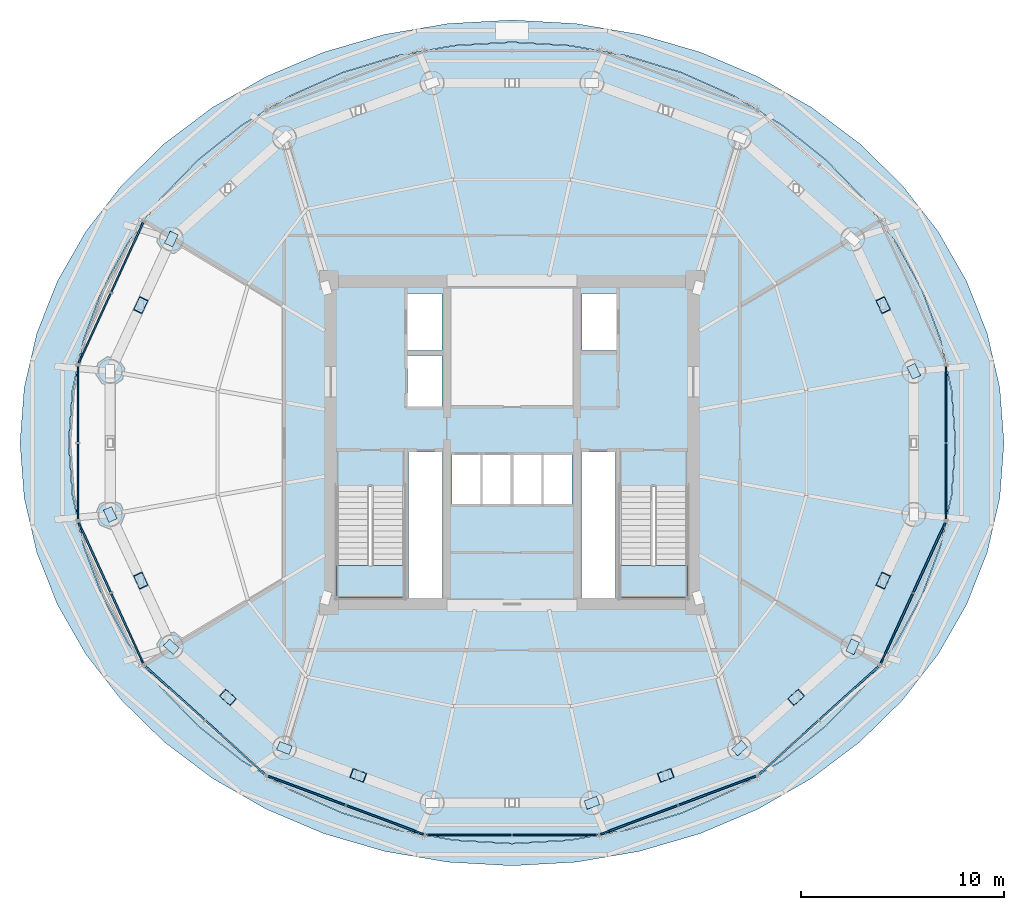
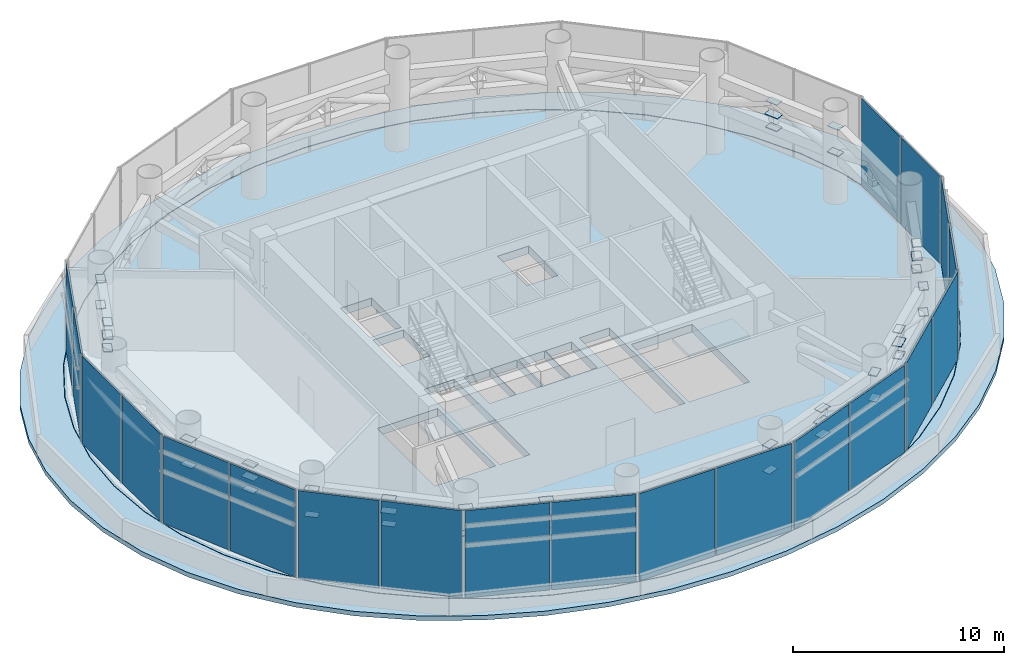
# One storey, part 19 of 25: 60 plates, 4 slabs, 12 elements without a shape of their own.
"""IFC4 building model written with IfcOpenShell, lengths in metres."""

from ifc_helpers import new_model, si_unit, direction, frame, origin, origin_2d, place, context, subcontext, project, spatial, polyline, rectangle, outline, extrude, source, transform, mapped, material, layer, layer_set, type_object, element, aggregate, save


model = new_model("IFC4")

# Units and contexts
model_context = context("Model", 3, precision=1e-05, world=origin(), true_north=direction((-0.2419218956, 0.970295726276)))
body_context = subcontext(model_context, "Body", "Model", "MODEL_VIEW")
ifc_project = project(units=[si_unit("LENGTHUNIT", "METRE"), si_unit("AREAUNIT", "SQUARE_METRE"), si_unit("VOLUMEUNIT", "CUBIC_METRE"), si_unit("PLANEANGLEUNIT", "RADIAN"), si_unit("MASSUNIT", "GRAM", prefix="KILO")], contexts=[model_context])

# Site, building, storey
site_placement = place(None, origin())
site = spatial("IfcSite", under=ifc_project, at=site_placement, CompositionType="ELEMENT")
building_placement = place(site_placement, origin())
building = spatial("IfcBuilding", under=site, at=building_placement, Name="Cobrevalo Terracotta Tower", CompositionType="ELEMENT")
storey_placement = place(building_placement, frame((0.0, 0.0, 185.800048828125)))
storey = spatial("IfcBuildingStorey", under=building, at=storey_placement, Name="L49", CompositionType="ELEMENT", Elevation=185.800048828125)

# Stair, slab
ifc_material_1 = material(Name="Concrete C50", Category="concrete")
stair_type = type_object("IfcStairType", Name="Core protected escape dogleg stair 1600", PredefinedType="HALF_TURN_STAIR", material=ifc_material_1)
stair_1_placement = place(storey_placement, origin())
stair_1 = element("IfcStair", 1, at=stair_1_placement, inside=storey, type_object=stair_type, Name="L49 Protected exit stair ST-1", PredefinedType="HALF_TURN_STAIR")
ifc_layer_1 = layer(ifc_material_1, 0.199951171875)
ifc_layer_set_1 = layer_set([ifc_layer_1], Name="Concrete C50")
slab_type_1 = type_object("IfcSlabType", Name="Reinforced Concrete Stair Landing 200", PredefinedType="LANDING", material=ifc_layer_set_1)
slab_1_placement = place(storey_placement, frame((0.0, 0.0, 2.5)))
slab_1 = element("IfcSlab", 2, at=slab_1_placement, type_object=slab_type_1, Name="ST-1 landing 1", PredefinedType="LANDING", context=body_context, shape_type="SweptSolid", body=[
    extrude(outline(polyline([(29.375, 20.780029296875), (29.375, 19.175048828125), (32.695068359375, 19.175048828125), (32.695068359375, 20.780029296875), (29.375, 20.780029296875)])), origin(), (0.0, 0.0, 1.0), 0.199951171875),
])
aggregate(stair_1, [slab_1])

stair_2_placement = place(storey_placement, origin())
stair_2 = element("IfcStair", 3, at=stair_2_placement, inside=storey, type_object=stair_type, Name="L49 Protected exit stair ST-2", PredefinedType="HALF_TURN_STAIR")
slab_2_placement = place(storey_placement, frame((0.0, 0.0, 2.5)))
slab_2 = element("IfcSlab", 4, at=slab_2_placement, type_object=slab_type_1, Name="ST-2 landing 1", PredefinedType="LANDING", context=body_context, shape_type="SweptSolid", body=[
    extrude(outline(polyline([(43.304931640625, 20.780029296875), (43.304931640625, 19.175048828125), (46.625, 19.175048828125), (46.625, 20.780029296875), (43.304931640625, 20.780029296875)])), origin(), (0.0, 0.0, 1.0), 0.199951171875),
])
aggregate(stair_2, [slab_2])

# Slabs
ifc_material_2 = material(Name="Concrete C55", Category="concrete")
ifc_layer_2 = layer(ifc_material_2, 0.449951171875)
ifc_layer_set_2 = layer_set([ifc_layer_2], Name="Concrete C55")
slab_type_2 = type_object("IfcSlabType", Name="Structural transfer deck slab 450 mm", PredefinedType="FLOOR", material=ifc_layer_set_2)
slab_3_placement = place(storey_placement, frame((0.0, 0.0, -0.449951171875)))
element("IfcSlab", 5, at=slab_3_placement, inside=storey, type_object=slab_type_2, Name="L49 indoor elliptical floor slab", PredefinedType="FLOOR", context=body_context, shape_type="SweptSolid", body=[
    extrude(outline(polyline([(59.613525390625, 24.228515625), (59.05712890625, 21.701171875), (58.140625, 19.26123046875), (56.87939453125, 16.949951171875), (55.295166015625, 14.807373046875), (53.4150390625, 12.8701171875), (51.27099609375, 11.1708984375), (48.89990234375, 9.7392578125), (46.342529296875, 8.599609375), (43.642333984375, 7.771240234375), (40.845458984375, 7.2685546875), (38.0, 7.10009765625), (35.154541015625, 7.2685546875), (32.357666015625, 7.771240234375), (29.657470703125, 8.599609375), (27.10009765625, 9.7392578125), (24.72900390625, 11.1708984375), (22.5849609375, 12.8701171875), (20.704833984375, 14.807373046875), (19.12060546875, 16.949951171875), (17.859375, 19.26123046875), (16.94287109375, 21.701171875), (16.386474609375, 24.228515625), (16.199951171875, 26.800048828125), (16.386474609375, 29.371337890625), (16.94287109375, 31.898681640625), (17.859375, 34.3388671875), (19.12060546875, 36.64990234375), (20.704833984375, 38.79248046875), (22.5849609375, 40.72998046875), (24.72900390625, 42.428955078125), (27.10009765625, 43.860595703125), (29.657470703125, 45.00048828125), (32.357666015625, 45.828857421875), (35.154541015625, 46.33154296875), (38.0, 46.5), (40.845458984375, 46.33154296875), (43.642333984375, 45.828857421875), (46.342529296875, 45.00048828125), (48.89990234375, 43.860595703125), (51.27099609375, 42.428955078125), (53.4150390625, 40.72998046875), (55.295166015625, 38.79248046875), (56.87939453125, 36.64990234375), (58.140625, 34.3388671875), (59.05712890625, 31.898681640625), (59.613525390625, 29.371337890625), (59.800048828125, 26.800048828125), (59.613525390625, 24.228515625)]), holes=[polyline([(32.695068359375, 19.175048828125), (32.695068359375, 24.659912109375), (29.375, 24.659912109375), (29.375, 19.175048828125), (32.695068359375, 19.175048828125)]), polyline([(34.574951171875, 26.360107421875), (32.919921875, 26.360107421875), (32.919921875, 19.175048828125), (34.574951171875, 19.175048828125), (34.574951171875, 26.360107421875)]), polyline([(36.47998046875, 26.25), (35.050048828125, 26.25), (35.050048828125, 23.800048828125), (36.47998046875, 23.800048828125), (36.47998046875, 26.25)]), polyline([(37.9599609375, 23.800048828125), (37.9599609375, 26.25), (36.530029296875, 26.25), (36.530029296875, 23.800048828125), (37.9599609375, 23.800048828125)]), polyline([(34.550048828125, 28.60009765625), (34.550048828125, 31.10009765625), (32.85009765625, 31.10009765625), (32.85009765625, 28.60009765625), (34.550048828125, 28.60009765625)]), polyline([(34.550048828125, 34.14990234375), (32.85009765625, 34.14990234375), (32.85009765625, 31.35009765625), (34.550048828125, 31.35009765625), (34.550048828125, 34.14990234375)]), polyline([(43.304931640625, 19.175048828125), (46.625, 19.175048828125), (46.625, 24.659912109375), (43.304931640625, 24.659912109375), (43.304931640625, 19.175048828125)]), polyline([(43.080078125, 19.175048828125), (43.080078125, 26.360107421875), (41.425048828125, 26.360107421875), (41.425048828125, 19.175048828125), (43.080078125, 19.175048828125)]), polyline([(39.469970703125, 26.25), (38.0400390625, 26.25), (38.0400390625, 23.800048828125), (39.469970703125, 23.800048828125), (39.469970703125, 26.25)]), polyline([(40.949951171875, 23.800048828125), (40.949951171875, 26.25), (39.52001953125, 26.25), (39.52001953125, 23.800048828125), (40.949951171875, 23.800048828125)]), polyline([(43.14990234375, 31.35009765625), (43.14990234375, 34.14990234375), (41.449951171875, 34.14990234375), (41.449951171875, 31.35009765625), (43.14990234375, 31.35009765625)])]), origin(), (0.0, 0.0, 1.0), 0.449951171875),
])
ifc_material_3 = material(Name="Concrete C45", Category="concrete")
ifc_layer_3 = layer(ifc_material_3, 0.260009765625)
ifc_layer_set_3 = layer_set([ifc_layer_3], Name="Concrete C45")
slab_type_3 = type_object("IfcSlabType", Name="Zone setback structural roof slab 260 mm", PredefinedType="ROOF", material=ifc_layer_set_3)
slab_4_placement = place(storey_placement, frame((0.0, 0.0, -0.260009765625)))
element("IfcSlab", 6, at=slab_4_placement, inside=storey, type_object=slab_type_3, Name="L49 zone setback roof collar slab 1", PredefinedType="ROOF", context=body_context, shape_type="SweptSolid", body=[
    extrude(outline(polyline([(61.992919921875, 24.0849609375), (61.37548828125, 21.41650390625), (60.35791015625, 18.840087890625), (58.957763671875, 16.39990234375), (57.19921875, 14.1376953125), (55.112060546875, 12.09228515625), (52.73193359375, 10.29833984375), (50.10009765625, 8.78662109375), (47.260986328125, 7.583251953125), (44.263427734375, 6.708740234375), (41.15869140625, 6.177978515625), (38.0, 6.0), (34.84130859375, 6.177978515625), (31.736572265625, 6.708740234375), (28.739013671875, 7.583251953125), (25.89990234375, 8.78662109375), (23.26806640625, 10.29833984375), (20.887939453125, 12.09228515625), (18.80078125, 14.1376953125), (17.042236328125, 16.39990234375), (15.64208984375, 18.840087890625), (14.62451171875, 21.41650390625), (14.007080078125, 24.0849609375), (13.800048828125, 26.800048828125), (14.007080078125, 29.514892578125), (14.62451171875, 32.183349609375), (15.64208984375, 34.759765625), (17.042236328125, 37.199951171875), (18.80078125, 39.462158203125), (20.887939453125, 41.5078125), (23.26806640625, 43.3017578125), (25.89990234375, 44.813232421875), (28.739013671875, 46.0166015625), (31.736572265625, 46.891357421875), (34.84130859375, 47.422119140625), (38.0, 47.60009765625), (41.15869140625, 47.422119140625), (44.263427734375, 46.891357421875), (47.260986328125, 46.0166015625), (50.10009765625, 44.813232421875), (52.73193359375, 43.3017578125), (55.112060546875, 41.5078125), (57.19921875, 39.462158203125), (58.957763671875, 37.199951171875), (60.35791015625, 34.759765625), (61.37548828125, 32.183349609375), (61.992919921875, 29.514892578125), (62.199951171875, 26.800048828125), (61.992919921875, 24.0849609375)]), holes=[polyline([(59.63330078125, 29.3740234375), (59.076416015625, 31.90380859375), (58.158935546875, 34.346435546875), (56.896728515625, 36.659912109375), (55.31103515625, 38.8046875), (53.428955078125, 40.744140625), (51.283203125, 42.44482421875), (48.909912109375, 43.8779296875), (46.35009765625, 45.018798828125), (43.6474609375, 45.84814453125), (40.84814453125, 46.351318359375), (38.0, 46.52001953125), (35.15185546875, 46.351318359375), (32.3525390625, 45.84814453125), (29.64990234375, 45.018798828125), (27.090087890625, 43.8779296875), (24.716796875, 42.44482421875), (22.571044921875, 40.744140625), (20.68896484375, 38.8046875), (19.103271484375, 36.659912109375), (17.841064453125, 34.346435546875), (16.923583984375, 31.90380859375), (16.36669921875, 29.3740234375), (16.179931640625, 26.800048828125), (16.36669921875, 24.22607421875), (16.923583984375, 21.696044921875), (17.841064453125, 19.25341796875), (19.103271484375, 16.93994140625), (20.68896484375, 14.795166015625), (22.571044921875, 12.85595703125), (24.716796875, 11.155029296875), (27.090087890625, 9.721923828125), (29.64990234375, 8.5810546875), (32.3525390625, 7.751953125), (35.15185546875, 7.248779296875), (38.0, 7.080078125), (40.84814453125, 7.248779296875), (43.6474609375, 7.751953125), (46.35009765625, 8.5810546875), (48.909912109375, 9.721923828125), (51.283203125, 11.155029296875), (53.428955078125, 12.85595703125), (55.31103515625, 14.795166015625), (56.896728515625, 16.93994140625), (58.158935546875, 19.25341796875), (59.076416015625, 21.696044921875), (59.63330078125, 24.22607421875), (59.820068359375, 26.800048828125), (59.63330078125, 29.3740234375)])]), origin(), (0.0, 0.0, 1.0), 0.260009765625),
])

# Plates
ifc_material_4 = material(Name="Steel S355", Category="steel")
ifc_layer_4 = layer(ifc_material_4, 0.031982421875)
ifc_layer_set_4 = layer_set([ifc_layer_4], Name="Steel S355")
plate_type_1 = type_object("IfcPlateType", Name="Structural Gusset Plate 750x480x32 (Steel S355)", PredefinedType="SHEET", material=ifc_layer_set_4)
shared_shape_1 = source(origin(), body_context, "Body", "SweptSolid", [
    extrude(rectangle(XDim=0.75, YDim=0.47998046875, at=origin_2d()), origin(), (0.0, 0.0, 1.0), 0.031982421875),
])
for number, where, z_axis, x_axis, name in (
    (7, (56.258544921875, 33.57470703125, 3.38623046875), (0.0, 0.0, 1.0), (-0.419705565382, 0.907660310021, 0.0), "L49 hollow end cap plate GUS-BT-L49-01"),
    (8, (19.741455078125, 33.57470703125, 3.38623046875), (0.0, 0.0, 1.0), (-0.419705565382, -0.907660310021, 0.0), "L49 hollow end cap plate GUS-BT-L49-07"),
    (9, (19.741455078125, 20.025390625, 3.38623046875), (0.0, 0.0, 1.0), (0.419705565382, -0.907660310021, 0.0), "L49 hollow end cap plate GUS-BT-L49-09"),
    (10, (24.025634765625, 14.281982421875, 3.38623046875), (0.0, 0.0, 1.0), (0.744854463858, -0.667226968633, 0.0), "L49 hollow end cap plate GUS-BT-L49-10"),
    (11, (30.43701171875, 10.4443359375, 3.38623046875), (0.0, 0.0, 1.0), (0.937542718751, -0.347870163305, 0.0), "L49 hollow end cap plate GUS-BT-L49-11"),
    (12, (45.56298828125, 10.4443359375, 3.38623046875), (0.0, 0.0, 1.0), (0.937542718751, 0.347870163305, 0.0), "L49 hollow end cap plate GUS-BT-L49-13"),
    (13, (51.974365234375, 14.281982421875, 3.38623046875), (0.0, 0.0, 1.0), (0.744854463858, 0.667226968633, 0.0), "L49 hollow end cap plate GUS-BT-L49-14"),
    (14, (56.258544921875, 20.025390625, 3.38623046875), (0.0, 0.0, 1.0), (0.419705565382, 0.907660310021, 0.0), "L49 hollow end cap plate GUS-BT-L49-15"),
):
    element("IfcPlate", number, at=place(storey_placement, frame(where, z_axis=z_axis, x_axis=x_axis)), inside=storey, type_object=plate_type_1, Name=name, PredefinedType="SHEET", context=body_context, shape_type="MappedRepresentation", body=[
        mapped(shared_shape_1, transform((0.0, 0.0, 0.0), scale=1.0)),
    ])
ifc_layer_5 = layer(ifc_material_4, 0.030029296875)
ifc_layer_set_5 = layer_set([ifc_layer_5], Name="Steel S355")
plate_type_2 = type_object("IfcPlateType", Name="Structural Cap Plate 660x440x30 (Steel S355)", PredefinedType="USERDEFINED", material=ifc_layer_set_5)
shared_shape_2 = source(origin(), body_context, "Body", "SweptSolid", [
    extrude(rectangle(XDim=0.659912109375, YDim=0.43994140625, at=origin_2d()), origin(), (0.0, 0.0, 1.0), 0.030029296875),
])
for number, where, z_axis, x_axis, name in (
    (15, (57.762939453125, 30.3212890625, 2.634765625), (0.0, 0.0, 1.0), (-0.419705565382, 0.907660310021, 0.0), "L49 hollow end cap plate CAP-BT-L49-01-B0"),
    (16, (57.762939453125, 30.3212890625, 4.14013671875), (0.0, 0.0, 1.0), (-0.419705565382, 0.907660310021, 0.0), "L49 hollow end cap plate CAP-BT-L49-01-T0"),
    (17, (56.258544921875, 33.57470703125, 2.634765625), (0.0, 0.0, 1.0), (-0.419705565382, 0.907660310021, 0.0), "L49 hollow end cap plate CAP-BT-L49-01-BM"),
    (18, (56.258544921875, 33.57470703125, 4.14013671875), (0.0, 0.0, 1.0), (-0.419705565382, 0.907660310021, 0.0), "L49 hollow end cap plate CAP-BT-L49-01-TM"),
    (19, (21.245849609375, 36.828125, 2.634765625), (0.0, 0.0, 1.0), (-0.419705565382, -0.907660310021, 0.0), "L49 hollow end cap plate CAP-BT-L49-07-B0"),
    (20, (21.245849609375, 36.828125, 4.14013671875), (0.0, 0.0, 1.0), (-0.419705565382, -0.907660310021, 0.0), "L49 hollow end cap plate CAP-BT-L49-07-T0"),
    (21, (19.741455078125, 33.57470703125, 2.634765625), (0.0, 0.0, 1.0), (-0.419705565382, -0.907660310021, 0.0), "L49 hollow end cap plate CAP-BT-L49-07-BM"),
    (22, (19.741455078125, 33.57470703125, 4.14013671875), (0.0, 0.0, 1.0), (-0.419705565382, -0.907660310021, 0.0), "L49 hollow end cap plate CAP-BT-L49-07-TM"),
    (23, (18.237060546875, 23.278564453125, 2.634765625), (0.0, 0.0, 1.0), (0.419705565382, -0.907660310021, 0.0), "L49 hollow end cap plate CAP-BT-L49-09-B0"),
    (24, (18.237060546875, 23.278564453125, 4.14013671875), (0.0, 0.0, 1.0), (0.419705565382, -0.907660310021, 0.0), "L49 hollow end cap plate CAP-BT-L49-09-T0"),
    (25, (19.741455078125, 20.025390625, 2.634765625), (0.0, 0.0, 1.0), (0.419705565382, -0.907660310021, 0.0), "L49 hollow end cap plate CAP-BT-L49-09-BM"),
    (26, (19.741455078125, 20.025390625, 4.14013671875), (0.0, 0.0, 1.0), (0.419705565382, -0.907660310021, 0.0), "L49 hollow end cap plate CAP-BT-L49-09-TM"),
    (27, (21.245849609375, 16.77197265625, 2.634765625), (0.0, 0.0, 1.0), (0.744854463858, -0.667226968633, 0.0), "L49 hollow end cap plate CAP-BT-L49-10-B0"),
    (28, (21.245849609375, 16.77197265625, 4.14013671875), (0.0, 0.0, 1.0), (0.744854463858, -0.667226968633, 0.0), "L49 hollow end cap plate CAP-BT-L49-10-T0"),
    (29, (24.025634765625, 14.281982421875, 2.634765625), (0.0, 0.0, 1.0), (0.744854463858, -0.667226968633, 0.0), "L49 hollow end cap plate CAP-BT-L49-10-BM"),
    (30, (24.025634765625, 14.281982421875, 4.14013671875), (0.0, 0.0, 1.0), (0.744854463858, -0.667226968633, 0.0), "L49 hollow end cap plate CAP-BT-L49-10-TM"),
    (31, (26.80517578125, 11.7919921875, 2.634765625), (0.0, 0.0, 1.0), (0.937542718751, -0.347870163305, 0.0), "L49 hollow end cap plate CAP-BT-L49-11-B0"),
    (32, (26.80517578125, 11.7919921875, 4.14013671875), (0.0, 0.0, 1.0), (0.937542718751, -0.347870163305, 0.0), "L49 hollow end cap plate CAP-BT-L49-11-T0"),
    (33, (30.43701171875, 10.4443359375, 2.634765625), (0.0, 0.0, 1.0), (0.937542718751, -0.347870163305, 0.0), "L49 hollow end cap plate CAP-BT-L49-11-BM"),
    (34, (30.43701171875, 10.4443359375, 4.14013671875), (0.0, 0.0, 1.0), (0.937542718751, -0.347870163305, 0.0), "L49 hollow end cap plate CAP-BT-L49-11-TM"),
    (35, (41.93115234375, 9.096923828125, 2.634765625), (0.0, 0.0, 1.0), (0.937542718751, 0.347870163305, 0.0), "L49 hollow end cap plate CAP-BT-L49-13-B0"),
    (36, (41.93115234375, 9.096923828125, 4.14013671875), (0.0, 0.0, 1.0), (0.937542718751, 0.347870163305, 0.0), "L49 hollow end cap plate CAP-BT-L49-13-T0"),
    (37, (45.56298828125, 10.4443359375, 2.634765625), (0.0, 0.0, 1.0), (0.937542718751, 0.347870163305, 0.0), "L49 hollow end cap plate CAP-BT-L49-13-BM"),
    (38, (45.56298828125, 10.4443359375, 4.14013671875), (0.0, 0.0, 1.0), (0.937542718751, 0.347870163305, 0.0), "L49 hollow end cap plate CAP-BT-L49-13-TM"),
    (39, (49.19482421875, 11.7919921875, 2.634765625), (0.0, 0.0, 1.0), (0.744854463858, 0.667226968633, 0.0), "L49 hollow end cap plate CAP-BT-L49-14-B0"),
    (40, (49.19482421875, 11.7919921875, 4.14013671875), (0.0, 0.0, 1.0), (0.744854463858, 0.667226968633, 0.0), "L49 hollow end cap plate CAP-BT-L49-14-T0"),
    (41, (51.974365234375, 14.281982421875, 2.634765625), (0.0, 0.0, 1.0), (0.744854463858, 0.667226968633, 0.0), "L49 hollow end cap plate CAP-BT-L49-14-BM"),
    (42, (51.974365234375, 14.281982421875, 4.14013671875), (0.0, 0.0, 1.0), (0.744854463858, 0.667226968633, 0.0), "L49 hollow end cap plate CAP-BT-L49-14-TM"),
    (43, (54.754150390625, 16.77197265625, 2.634765625), (0.0, 0.0, 1.0), (0.419705565382, 0.907660310021, 0.0), "L49 hollow end cap plate CAP-BT-L49-15-B0"),
    (44, (54.754150390625, 16.77197265625, 4.14013671875), (0.0, 0.0, 1.0), (0.419705565382, 0.907660310021, 0.0), "L49 hollow end cap plate CAP-BT-L49-15-T0"),
    (45, (56.258544921875, 20.025390625, 2.634765625), (0.0, 0.0, 1.0), (0.419705565382, 0.907660310021, 0.0), "L49 hollow end cap plate CAP-BT-L49-15-BM"),
    (46, (56.258544921875, 20.025390625, 4.14013671875), (0.0, 0.0, 1.0), (0.419705565382, 0.907660310021, 0.0), "L49 hollow end cap plate CAP-BT-L49-15-TM"),
):
    element("IfcPlate", number, at=place(storey_placement, frame(where, z_axis=z_axis, x_axis=x_axis)), inside=storey, type_object=plate_type_2, Name=name, ObjectType="CAP PLATE", PredefinedType="USERDEFINED", context=body_context, shape_type="MappedRepresentation", body=[
        mapped(shared_shape_2, transform((0.0, 0.0, 0.0), scale=1.0)),
    ])

# Curtain wall, plates
ifc_material_5 = material(Name="Anodized aluminium", Category="aluminium")
curtain_wall_type = type_object("IfcCurtainWallType", Name="Belt-truss plant acoustic weather-louvre curtain wall CW-LV", PredefinedType="NOTDEFINED", material=ifc_material_5)
curtain_wall_1_placement = place(storey_placement, origin())
curtain_wall_1 = element("IfcCurtainWall", 47, at=curtain_wall_1_placement, inside=storey, type_object=curtain_wall_type, Name="L49 curtain wall CW-LV-L49-S07", PredefinedType="NOTDEFINED")
ifc_material_6 = material(Name="Anodized aluminium weather louvre", Category="aluminium")
ifc_layer_6 = layer(ifc_material_6, 0.0849609375)
ifc_layer_set_6 = layer_set([ifc_layer_6], Name="Anodized aluminium weather louvre")
plate_type_3 = type_object("IfcPlateType", Name="Plant room acoustic weather-louvre cassette 85 mm", PredefinedType="USERDEFINED", material=ifc_layer_set_6)
shared_shape_3 = source(origin(), body_context, "Body", "SweptSolid", [
    extrude(rectangle(XDim=3.780029296875, YDim=0.0849609375, at=origin_2d()), origin(), (0.0, 0.0, 1.0), 5.054931640625),
])
plate_1_placement = place(storey_placement, frame((19.077880859375, 35.937255859375, 0.0400390625), z_axis=(0.0, 0.0, 1.0), x_axis=(-0.416731425355, -0.909029657999, 0.0)))
plate_1 = element("IfcPlate", 48, at=plate_1_placement, type_object=plate_type_3, Name="CW-LV-L49-S07 acoustic louvre panel B01", ObjectType="LOUVRE_PANEL", PredefinedType="USERDEFINED", context=body_context, shape_type="MappedRepresentation", body=[
    mapped(shared_shape_3, transform((0.0, 0.0, 0.0), scale=1.0)),
])
plate_2_placement = place(storey_placement, frame((17.46923828125, 32.42822265625, 0.0400390625), z_axis=(0.0, 0.0, 1.0), x_axis=(-0.416731425355, -0.909029657999, 0.0)))
plate_2 = element("IfcPlate", 49, at=plate_2_placement, type_object=plate_type_3, Name="CW-LV-L49-S07 acoustic louvre panel B02", ObjectType="LOUVRE_PANEL", PredefinedType="USERDEFINED", context=body_context, shape_type="MappedRepresentation", body=[
    mapped(shared_shape_3, transform((0.0, 0.0, 0.0), scale=1.0)),
])
aggregate(curtain_wall_1, [plate_1, plate_2])

curtain_wall_2_placement = place(storey_placement, origin())
curtain_wall_2 = element("IfcCurtainWall", 50, at=curtain_wall_2_placement, inside=storey, type_object=curtain_wall_type, Name="L49 curtain wall CW-LV-L49-S09", PredefinedType="NOTDEFINED")
plate_3_placement = place(storey_placement, frame((17.46923828125, 21.171630859375, 0.0400390625), z_axis=(0.0, 0.0, 1.0), x_axis=(0.416731425355, -0.909029657999, 0.0)))
plate_3 = element("IfcPlate", 51, at=plate_3_placement, type_object=plate_type_3, Name="CW-LV-L49-S09 acoustic louvre panel B01", ObjectType="LOUVRE_PANEL", PredefinedType="USERDEFINED", context=body_context, shape_type="MappedRepresentation", body=[
    mapped(shared_shape_3, transform((0.0, 0.0, 0.0), scale=1.0)),
])
plate_4_placement = place(storey_placement, frame((19.077880859375, 17.662841796875, 0.0400390625), z_axis=(0.0, 0.0, 1.0), x_axis=(0.416731425355, -0.909029657999, 0.0)))
plate_4 = element("IfcPlate", 52, at=plate_4_placement, type_object=plate_type_3, Name="CW-LV-L49-S09 acoustic louvre panel B02", ObjectType="LOUVRE_PANEL", PredefinedType="USERDEFINED", context=body_context, shape_type="MappedRepresentation", body=[
    mapped(shared_shape_3, transform((0.0, 0.0, 0.0), scale=1.0)),
])
aggregate(curtain_wall_2, [plate_3, plate_4])

curtain_wall_3_placement = place(storey_placement, origin())
curtain_wall_3 = element("IfcCurtainWall", 53, at=curtain_wall_3_placement, inside=storey, type_object=curtain_wall_type, Name="L49 curtain wall CW-LV-L49-S15", PredefinedType="NOTDEFINED")
plate_5_placement = place(storey_placement, frame((56.922119140625, 17.662841796875, 0.0400390625), z_axis=(0.0, 0.0, 1.0), x_axis=(0.416731425355, 0.909029657999, 0.0)))
plate_5 = element("IfcPlate", 54, at=plate_5_placement, type_object=plate_type_3, Name="CW-LV-L49-S15 acoustic louvre panel B01", ObjectType="LOUVRE_PANEL", PredefinedType="USERDEFINED", context=body_context, shape_type="MappedRepresentation", body=[
    mapped(shared_shape_3, transform((0.0, 0.0, 0.0), scale=1.0)),
])
plate_6_placement = place(storey_placement, frame((58.53076171875, 21.171630859375, 0.0400390625), z_axis=(0.0, 0.0, 1.0), x_axis=(0.416731425355, 0.909029657999, 0.0)))
plate_6 = element("IfcPlate", 55, at=plate_6_placement, type_object=plate_type_3, Name="CW-LV-L49-S15 acoustic louvre panel B02", ObjectType="LOUVRE_PANEL", PredefinedType="USERDEFINED", context=body_context, shape_type="MappedRepresentation", body=[
    mapped(shared_shape_3, transform((0.0, 0.0, 0.0), scale=1.0)),
])
aggregate(curtain_wall_3, [plate_5, plate_6])

curtain_wall_4_placement = place(storey_placement, origin())
curtain_wall_4 = element("IfcCurtainWall", 56, at=curtain_wall_4_placement, inside=storey, type_object=curtain_wall_type, Name="L49 curtain wall CW-LV-L49-S10", PredefinedType="NOTDEFINED")
shared_shape_4 = source(origin(), body_context, "Body", "SweptSolid", [
    extrude(rectangle(XDim=3.927490234375, YDim=0.0849609375, at=origin_2d()), origin(), (0.0, 0.0, 1.0), 5.054931640625),
])
plate_7_placement = place(storey_placement, frame((21.415283203125, 14.501708984375, 0.0400390625), z_axis=(0.0, 0.0, 1.0), x_axis=(0.741987542015, -0.670413668935, 0.0)))
plate_7 = element("IfcPlate", 57, at=plate_7_placement, type_object=plate_type_3, Name="CW-LV-L49-S10 acoustic louvre panel B01", ObjectType="LOUVRE_PANEL", PredefinedType="USERDEFINED", context=body_context, shape_type="MappedRepresentation", body=[
    mapped(shared_shape_4, transform((0.0, 0.0, 0.0), scale=1.0)),
])
plate_8_placement = place(storey_placement, frame((24.388916015625, 11.815185546875, 0.0400390625), z_axis=(0.0, 0.0, 1.0), x_axis=(0.741987542015, -0.670413668935, 0.0)))
plate_8 = element("IfcPlate", 58, at=plate_8_placement, type_object=plate_type_3, Name="CW-LV-L49-S10 acoustic louvre panel B02", ObjectType="LOUVRE_PANEL", PredefinedType="USERDEFINED", context=body_context, shape_type="MappedRepresentation", body=[
    mapped(shared_shape_4, transform((0.0, 0.0, 0.0), scale=1.0)),
])
aggregate(curtain_wall_4, [plate_7, plate_8])

curtain_wall_5_placement = place(storey_placement, origin())
curtain_wall_5 = element("IfcCurtainWall", 59, at=curtain_wall_5_placement, inside=storey, type_object=curtain_wall_type, Name="L49 curtain wall CW-LV-L49-S14", PredefinedType="NOTDEFINED")
plate_9_placement = place(storey_placement, frame((51.611083984375, 11.815185546875, 0.0400390625), z_axis=(0.0, 0.0, 1.0), x_axis=(0.741987542015, 0.670413668935, 0.0)))
plate_9 = element("IfcPlate", 60, at=plate_9_placement, type_object=plate_type_3, Name="CW-LV-L49-S14 acoustic louvre panel B01", ObjectType="LOUVRE_PANEL", PredefinedType="USERDEFINED", context=body_context, shape_type="MappedRepresentation", body=[
    mapped(shared_shape_4, transform((0.0, 0.0, 0.0), scale=1.0)),
])
plate_10_placement = place(storey_placement, frame((54.584716796875, 14.501708984375, 0.0400390625), z_axis=(0.0, 0.0, 1.0), x_axis=(0.741987542015, 0.670413668935, 0.0)))
plate_10 = element("IfcPlate", 61, at=plate_10_placement, type_object=plate_type_3, Name="CW-LV-L49-S14 acoustic louvre panel B02", ObjectType="LOUVRE_PANEL", PredefinedType="USERDEFINED", context=body_context, shape_type="MappedRepresentation", body=[
    mapped(shared_shape_4, transform((0.0, 0.0, 0.0), scale=1.0)),
])
aggregate(curtain_wall_5, [plate_9, plate_10])

curtain_wall_6_placement = place(storey_placement, origin())
curtain_wall_6 = element("IfcCurtainWall", 62, at=curtain_wall_6_placement, inside=storey, type_object=curtain_wall_type, Name="L49 curtain wall CW-LV-L49-S11", PredefinedType="NOTDEFINED")
shared_shape_5 = source(origin(), body_context, "Body", "SweptSolid", [
    extrude(rectangle(XDim=4.069580078125, YDim=0.0849609375, at=origin_2d()), origin(), (0.0, 0.0, 1.0), 5.054931640625),
])
plate_11_placement = place(storey_placement, frame((27.885986328125, 9.70361328125, 0.0400390625), z_axis=(0.0, 0.0, 1.0), x_axis=(0.936557839879, -0.350513070458, 0.0)))
plate_11 = element("IfcPlate", 63, at=plate_11_placement, type_object=plate_type_3, Name="CW-LV-L49-S11 acoustic louvre panel B01", ObjectType="LOUVRE_PANEL", PredefinedType="USERDEFINED", context=body_context, shape_type="MappedRepresentation", body=[
    mapped(shared_shape_5, transform((0.0, 0.0, 0.0), scale=1.0)),
])
plate_12_placement = place(storey_placement, frame((31.772216796875, 8.249267578125, 0.0400390625), z_axis=(0.0, 0.0, 1.0), x_axis=(0.936557839879, -0.350513070458, 0.0)))
plate_12 = element("IfcPlate", 64, at=plate_12_placement, type_object=plate_type_3, Name="CW-LV-L49-S11 acoustic louvre panel B02", ObjectType="LOUVRE_PANEL", PredefinedType="USERDEFINED", context=body_context, shape_type="MappedRepresentation", body=[
    mapped(shared_shape_5, transform((0.0, 0.0, 0.0), scale=1.0)),
])
aggregate(curtain_wall_6, [plate_11, plate_12])

curtain_wall_7_placement = place(storey_placement, origin())
curtain_wall_7 = element("IfcCurtainWall", 65, at=curtain_wall_7_placement, inside=storey, type_object=curtain_wall_type, Name="L49 curtain wall CW-LV-L49-S13", PredefinedType="NOTDEFINED")
plate_13_placement = place(storey_placement, frame((44.227783203125, 8.249267578125, 0.0400390625), z_axis=(0.0, 0.0, 1.0), x_axis=(0.936557839879, 0.350513070458, 0.0)))
plate_13 = element("IfcPlate", 66, at=plate_13_placement, type_object=plate_type_3, Name="CW-LV-L49-S13 acoustic louvre panel B01", ObjectType="LOUVRE_PANEL", PredefinedType="USERDEFINED", context=body_context, shape_type="MappedRepresentation", body=[
    mapped(shared_shape_5, transform((0.0, 0.0, 0.0), scale=1.0)),
])
plate_14_placement = place(storey_placement, frame((48.114013671875, 9.70361328125, 0.0400390625), z_axis=(0.0, 0.0, 1.0), x_axis=(0.936557839879, 0.350513070458, 0.0)))
plate_14 = element("IfcPlate", 67, at=plate_14_placement, type_object=plate_type_3, Name="CW-LV-L49-S13 acoustic louvre panel B02", ObjectType="LOUVRE_PANEL", PredefinedType="USERDEFINED", context=body_context, shape_type="MappedRepresentation", body=[
    mapped(shared_shape_5, transform((0.0, 0.0, 0.0), scale=1.0)),
])
aggregate(curtain_wall_7, [plate_13, plate_14])

curtain_wall_8_placement = place(storey_placement, origin())
curtain_wall_8 = element("IfcCurtainWall", 68, at=curtain_wall_8_placement, inside=storey, type_object=curtain_wall_type, Name="L49 curtain wall CW-LV-L49-S12", PredefinedType="NOTDEFINED")
shared_shape_6 = source(origin(), body_context, "Body", "SweptSolid", [
    extrude(rectangle(XDim=4.127197265625, YDim=0.0849609375, at=origin_2d()), origin(), (0.0, 0.0, 1.0), 5.054931640625),
])
plate_15_placement = place(storey_placement, frame((35.896484375, 7.508056640625, 0.0400390625), z_axis=(0.0, 0.0, 1.0), x_axis=(1.0, 0.0, 0.0)))
plate_15 = element("IfcPlate", 69, at=plate_15_placement, type_object=plate_type_3, Name="CW-LV-L49-S12 acoustic louvre panel B01", ObjectType="LOUVRE_PANEL", PredefinedType="USERDEFINED", context=body_context, shape_type="MappedRepresentation", body=[
    mapped(shared_shape_6, transform((0.0, 0.0, 0.0), scale=1.0)),
])
plate_16_placement = place(storey_placement, frame((40.103515625, 7.508056640625, 0.0400390625), z_axis=(0.0, 0.0, 1.0), x_axis=(1.0, 0.0, 0.0)))
plate_16 = element("IfcPlate", 70, at=plate_16_placement, type_object=plate_type_3, Name="CW-LV-L49-S12 acoustic louvre panel B02", ObjectType="LOUVRE_PANEL", PredefinedType="USERDEFINED", context=body_context, shape_type="MappedRepresentation", body=[
    mapped(shared_shape_6, transform((0.0, 0.0, 0.0), scale=1.0)),
])
aggregate(curtain_wall_8, [plate_15, plate_16])

curtain_wall_9_placement = place(storey_placement, origin())
curtain_wall_9 = element("IfcCurtainWall", 71, at=curtain_wall_9_placement, inside=storey, type_object=curtain_wall_type, Name="L49 curtain wall CW-LV-L49-S08", PredefinedType="NOTDEFINED")
shared_shape_7 = source(origin(), body_context, "Body", "SweptSolid", [
    extrude(rectangle(XDim=3.71728515625, YDim=0.0849609375, at=origin_2d()), origin(), (0.0, 0.0, 1.0), 5.054931640625),
])
plate_17_placement = place(storey_placement, frame((16.648193359375, 28.69873046875, 0.0400390625), z_axis=(0.0, 0.0, 1.0), x_axis=(0.0, -1.0, 0.0)))
plate_17 = element("IfcPlate", 72, at=plate_17_placement, type_object=plate_type_3, Name="CW-LV-L49-S08 acoustic louvre panel B01", ObjectType="LOUVRE_PANEL", PredefinedType="USERDEFINED", context=body_context, shape_type="MappedRepresentation", body=[
    mapped(shared_shape_7, transform((0.0, 0.0, 0.0), scale=1.0)),
])
plate_18_placement = place(storey_placement, frame((16.648193359375, 24.9013671875, 0.0400390625), z_axis=(0.0, 0.0, 1.0), x_axis=(0.0, -1.0, 0.0)))
plate_18 = element("IfcPlate", 73, at=plate_18_placement, type_object=plate_type_3, Name="CW-LV-L49-S08 acoustic louvre panel B02", ObjectType="LOUVRE_PANEL", PredefinedType="USERDEFINED", context=body_context, shape_type="MappedRepresentation", body=[
    mapped(shared_shape_7, transform((0.0, 0.0, 0.0), scale=1.0)),
])
aggregate(curtain_wall_9, [plate_17, plate_18])

curtain_wall_10_placement = place(storey_placement, origin())
curtain_wall_10 = element("IfcCurtainWall", 74, at=curtain_wall_10_placement, inside=storey, type_object=curtain_wall_type, Name="L49 curtain wall CW-LV-L49-S16", PredefinedType="NOTDEFINED")
plate_19_placement = place(storey_placement, frame((59.351806640625, 24.9013671875, 0.0400390625), z_axis=(0.0, 0.0, 1.0), x_axis=(0.0, 1.0, 0.0)))
plate_19 = element("IfcPlate", 75, at=plate_19_placement, type_object=plate_type_3, Name="CW-LV-L49-S16 acoustic louvre panel B01", ObjectType="LOUVRE_PANEL", PredefinedType="USERDEFINED", context=body_context, shape_type="MappedRepresentation", body=[
    mapped(shared_shape_7, transform((0.0, 0.0, 0.0), scale=1.0)),
])
plate_20_placement = place(storey_placement, frame((59.351806640625, 28.69873046875, 0.0400390625), z_axis=(0.0, 0.0, 1.0), x_axis=(0.0, 1.0, 0.0)))
plate_20 = element("IfcPlate", 76, at=plate_20_placement, type_object=plate_type_3, Name="CW-LV-L49-S16 acoustic louvre panel B02", ObjectType="LOUVRE_PANEL", PredefinedType="USERDEFINED", context=body_context, shape_type="MappedRepresentation", body=[
    mapped(shared_shape_7, transform((0.0, 0.0, 0.0), scale=1.0)),
])
aggregate(curtain_wall_10, [plate_19, plate_20])

save(model, "model.ifc")
